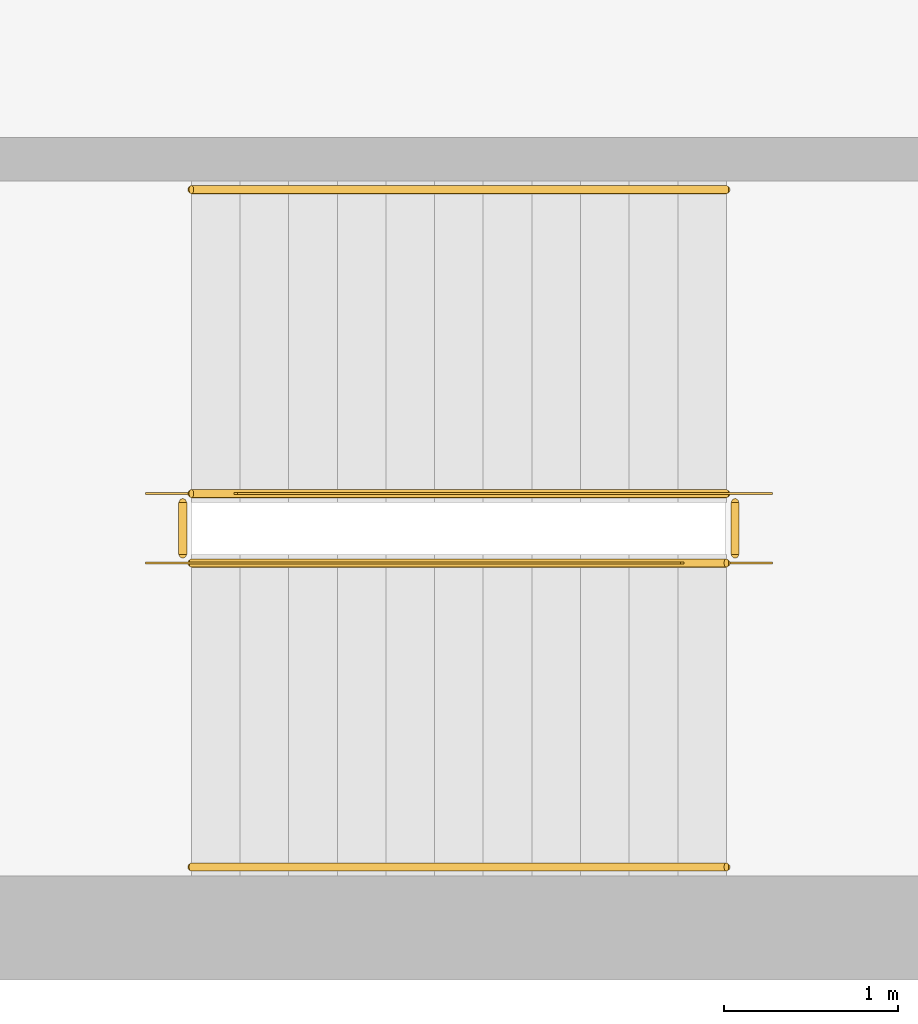
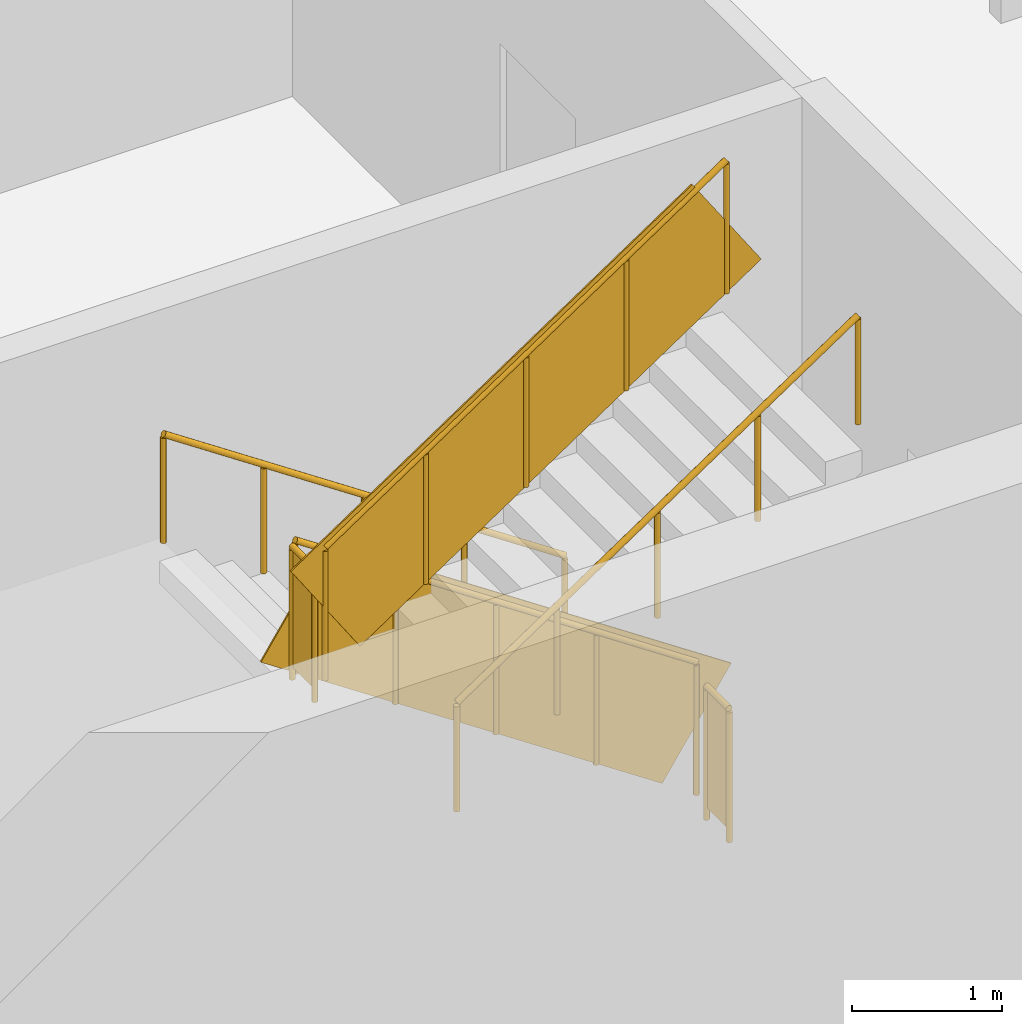
# One storey, part 15 of 20: 6 railings.
"""IFC4 building model written with IfcOpenShell, lengths in metres."""

import ifcopenshell
import ifcopenshell.guid

model = None  # the IFC model being written
_history = None  # IfcOwnerHistory: only IFC2X3 demands one
_inside = {}  # id of a spatial element -> (the spatial element, [elements in it])
_under = {}  # id of a project, library or spatial element -> (it, [spatial elements below it])
_declared = {}  # id of a project -> (the project, [libraries it declares])
_typed = {}  # id of a type object -> (the type object, [elements of that type])
_made_of = {}  # id of a material, layer set ... -> (it, [elements and type objects made of it])


def new_model(schema):
    """Start an empty IFC model of exactly this schema.

    Asked for "IFC4X3", IfcOpenShell would pick the latest addendum, in which some entities
    have other attributes; the version numbers below select the first issue.
    IFC2X3 requires an IfcOwnerHistory on every rooted entity: one is made here for all.
    """
    global model, _history
    if schema == "IFC4X3":
        model = ifcopenshell.file(schema_version=(4, 3, 0, 0))
    else:
        model = ifcopenshell.file(schema=schema)
    _inside.clear()
    _under.clear()
    _declared.clear()
    _typed.clear()
    _made_of.clear()
    _history = None
    if model.schema == "IFC2X3":
        org = make("IfcOrganization", Name="unknown")
        user = make(
            "IfcPersonAndOrganization",
            ThePerson=make("IfcPerson", FamilyName="unknown"),
            TheOrganization=org,
        )
        app = make(
            "IfcApplication",
            ApplicationDeveloper=org,
            Version="unknown",
            ApplicationFullName="unknown",
            ApplicationIdentifier="unknown",
        )
        _history = make(
            "IfcOwnerHistory",
            OwningUser=user,
            OwningApplication=app,
            ChangeAction="ADDED",
            CreationDate=0,
        )
    return model


def make(cls, **values):
    """One entity of the class cls with the attributes given. An attribute that is None is left unset."""
    return model.create_entity(
        cls, **{name: value for name, value in values.items() if value is not None}
    )


def rooted(cls, **values):
    """An entity with a GlobalId (a new one), such as an element, a storey or a relation."""
    return make(cls, GlobalId=ifcopenshell.guid.new(), OwnerHistory=_history, **values)


def si_unit(unit_type, name, prefix=None):
    """IfcSIUnit, for example si_unit("LENGTHUNIT", "METRE", prefix="MILLI")."""
    return make("IfcSIUnit", UnitType=unit_type, Prefix=prefix, Name=name)


def assignment(units):
    """IfcUnitAssignment: the units of a project."""
    return None if units is None else make("IfcUnitAssignment", Units=units)


def point(xyz):
    """IfcCartesianPoint."""
    return None if xyz is None else make("IfcCartesianPoint", Coordinates=xyz)


def direction(xyz):
    """IfcDirection."""
    return None if xyz is None else make("IfcDirection", DirectionRatios=xyz)


def frame(location, z_axis=None, x_axis=None):
    """IfcAxis2Placement3D, a coordinate frame: its origin and axes. An axis left out is left unset."""
    return make(
        "IfcAxis2Placement3D",
        Location=point(location),
        Axis=direction(z_axis),
        RefDirection=direction(x_axis),
    )


def frame_2d(location, x_axis=None):
    """IfcAxis2Placement2D, a coordinate frame in the plane: its origin and x axis."""
    return make(
        "IfcAxis2Placement2D", Location=point(location), RefDirection=direction(x_axis)
    )


def origin():
    """The frame at (0, 0, 0) with its axes left unset."""
    return frame((0.0, 0.0, 0.0))


def origin_2d():
    """The frame at (0, 0) in the plane with its x axis left unset."""
    return frame_2d((0.0, 0.0))


def place(relative_to, where):
    """IfcLocalPlacement: puts the frame where relative to a parent placement (None: the world)."""
    return make(
        "IfcLocalPlacement", PlacementRelTo=relative_to, RelativePlacement=where
    )


def context(
    kind, dimensions, precision=None, world=None, true_north=None, identifier=None
):
    """IfcGeometricRepresentationContext, for example the 3D "Model" context."""
    return make(
        "IfcGeometricRepresentationContext",
        ContextIdentifier=identifier,
        ContextType=kind,
        CoordinateSpaceDimension=dimensions,
        Precision=precision,
        WorldCoordinateSystem=world,
        TrueNorth=true_north,
    )


def subcontext(parent, identifier, kind, view, scale=None):
    """IfcGeometricRepresentationSubContext, for example "Body" below "Model"."""
    return make(
        "IfcGeometricRepresentationSubContext",
        ContextIdentifier=identifier,
        ContextType=kind,
        ParentContext=parent,
        TargetScale=scale,
        TargetView=view,
    )


def project(units=None, contexts=None):
    """IfcProject with its units and contexts."""
    return rooted(
        "IfcProject",
        Name="project",
        RepresentationContexts=contexts,
        UnitsInContext=assignment(units),
    )


def spatial(cls, under=None, at=None, **own):
    """A site, building, storey or space (cls), placed at a placement, below another one or the project."""
    s = rooted(cls, ObjectPlacement=at, **own)
    if under is not None:
        _under.setdefault(under.id(), (under, []))[1].append(s)
    return s


def profile(cls, at=None, kind="AREA", **sizes):
    """A parametric profile (cls). Its sizes go by their IFC names, for example OverallWidth=200.0."""
    return make(cls, ProfileType=kind, Position=at, **sizes)


def rectangle(**sizes):
    """IfcRectangleProfileDef."""
    return profile("IfcRectangleProfileDef", **sizes)


def circle(**sizes):
    """IfcCircleProfileDef."""
    return profile("IfcCircleProfileDef", **sizes)


def extrude(swept, where, along, depth):
    """IfcExtrudedAreaSolid: the profile swept, set in the frame where, extruded along a direction by depth."""
    return make(
        "IfcExtrudedAreaSolid",
        SweptArea=swept,
        Position=where,
        ExtrudedDirection=direction(along),
        Depth=depth,
    )


def shape(context_of_items, identifier, shape_type, items):
    """IfcShapeRepresentation: the items that make up one representation, for example the "Body"."""
    return make(
        "IfcShapeRepresentation",
        ContextOfItems=context_of_items,
        RepresentationIdentifier=identifier,
        RepresentationType=shape_type,
        Items=items,
    )


def material(Name=None, Category=None):
    """IfcMaterial."""
    return make("IfcMaterial", Name=Name, Category=Category)


def made_of(thing, what):
    """Note that an element or type object is made of a material, layer set ...; save() writes the relation."""
    if what is not None:
        _made_of.setdefault(what.id(), (what, []))[1].append(thing)
    return thing


def type_object(cls, material=None, **own):
    """A type object (cls), such as IfcWallType, which elements share."""
    return made_of(rooted(cls, **own), material)


def element(
    cls,
    number,
    at=None,
    inside=None,
    cuts=None,
    type_object=None,
    material=None,
    context=None,
    identifier="Body",
    shape_type=None,
    held_by="IfcProductDefinitionShape",
    body=None,
    shapes=None,
    **own,
):
    """One element of the class cls, such as IfcWall. Its Tag is "e" and its number.

    at: its placement. inside: the storey or other place that contains it. cuts: it is an
    opening in that element (IfcRelVoidsElement). A single representation is given by context,
    identifier, shape_type and body (its items); several are given by shapes. held_by: the class
    of the entity that holds the representations. save() writes the other relations.
    """
    e = rooted(cls, Tag="e%d" % number, ObjectPlacement=at, **own)
    if body is not None:
        shapes = [shape(context, identifier, shape_type, body)]
    if shapes is not None:
        e.Representation = make(held_by, Representations=shapes)
    if inside is not None:
        _inside.setdefault(inside.id(), (inside, []))[1].append(e)
    if cuts is not None:
        rooted(
            "IfcRelVoidsElement", RelatingBuildingElement=cuts, RelatedOpeningElement=e
        )
    if type_object is not None:
        _typed.setdefault(type_object.id(), (type_object, []))[1].append(e)
    return made_of(e, material)


def aggregate(whole, parts):
    """IfcRelAggregates: a whole, such as a stair, and the parts it consists of."""
    return rooted("IfcRelAggregates", RelatingObject=whole, RelatedObjects=parts)


def save(model, path):
    """Write the relations noted so far, then the file.

    IfcRelAggregates (storeys below a building ...), IfcRelContainedInSpatialStructure (elements
    in a storey), IfcRelDefinesByType, IfcRelAssociatesMaterial and IfcRelDeclares: one each for
    every whole, place, type object, material and project.
    """
    for whole, parts in _under.values():
        aggregate(whole, parts)
    for where, things in _inside.values():
        rooted(
            "IfcRelContainedInSpatialStructure",
            RelatedElements=things,
            RelatingStructure=where,
        )
    for kind, things in _typed.values():
        rooted("IfcRelDefinesByType", RelatedObjects=things, RelatingType=kind)
    for what, things in _made_of.values():
        rooted("IfcRelAssociatesMaterial", RelatedObjects=things, RelatingMaterial=what)
    for by, libraries in _declared.values():
        rooted("IfcRelDeclares", RelatingContext=by, RelatedDefinitions=libraries)
    model.write(path)


model = new_model("IFC4")

# Units and contexts
model_context = context("Model", 3, precision=1e-05, world=origin(), true_north=direction((0.0, 1.0)))
body_context = subcontext(model_context, "Body", "Model", "MODEL_VIEW")
ifc_project = project(units=[si_unit("LENGTHUNIT", "METRE"), si_unit("AREAUNIT", "SQUARE_METRE"), si_unit("VOLUMEUNIT", "CUBIC_METRE"), si_unit("PLANEANGLEUNIT", "RADIAN"), si_unit("MASSUNIT", "GRAM", prefix="KILO")], contexts=[model_context])

# Site, building, storey
site_placement = place(None, origin())
site = spatial("IfcSite", under=ifc_project, at=site_placement, CompositionType="ELEMENT")
building_placement = place(site_placement, origin())
building = spatial("IfcBuilding", under=site, at=building_placement, Name="Dilmun Exchange Tower", CompositionType="ELEMENT")
storey_placement = place(building_placement, frame((0.0, 0.0, 9.0)))
storey = spatial("IfcBuildingStorey", under=building, at=storey_placement, Name="L02", CompositionType="ELEMENT", Elevation=9.0)

# Railings
ifc_material = material(Name="Steel S355", Category="steel")
railing_type_1 = type_object("IfcRailingType", Name="School stair guard 1100", PredefinedType="GUARDRAIL", material=ifc_material)
railing_1_placement = place(storey_placement, frame((-52.25, -57.35009765625, 0.1875)))
element("IfcRailing", 1, at=railing_1_placement, inside=storey, type_object=railing_type_1, Name="L02 SCH-S2 stair guard 1", PredefinedType="GUARDRAIL", context=body_context, shape_type="SweptSolid", body=[
    extrude(circle(Radius=0.02392578125, at=origin_2d()), frame((0.0, 0.0, 1.076171875), z_axis=(-0.830913701846, 0.0, 0.55640131208), x_axis=(0.0, -1.0, 0.0)), (0.0, 0.0, 1.0), 3.706787109375),
    extrude(rectangle(XDim=0.011962890625, YDim=0.951904296875, at=origin_2d()), frame((0.0, 0.0, 0.576171875), z_axis=(-0.830913701846, 0.0, 0.55640131208), x_axis=(0.0, -1.0, 0.0)), (0.0, 0.0, 1.0), 3.706787109375),
    extrude(circle(Radius=0.02099609375, at=origin_2d()), origin(), (0.0, 0.0, 1.0), 1.052001953125),
    extrude(circle(Radius=0.02099609375, at=origin_2d()), frame((-0.77001953125, 0.0, 0.515625)), (0.0, 0.0, 1.0), 1.052001953125),
    extrude(circle(Radius=0.02099609375, at=origin_2d()), frame((-1.5400390625, 0.0, 1.03125)), (0.0, 0.0, 1.0), 1.052001953125),
    extrude(circle(Radius=0.02099609375, at=origin_2d()), frame((-2.31005859375, 0.0, 1.546875)), (0.0, 0.0, 1.0), 1.052001953125),
    extrude(circle(Radius=0.02099609375, at=origin_2d()), frame((-3.080078125, 0.0, 2.0625)), (0.0, 0.0, 1.0), 1.052001953125),
])
railing_2_placement = place(storey_placement, frame((-55.3798828125, -57.39990234375, 2.25)))
element("IfcRailing", 2, at=railing_2_placement, inside=storey, type_object=railing_type_1, Name="L02 SCH-S2 stair guard 2", PredefinedType="GUARDRAIL", context=body_context, shape_type="SweptSolid", body=[
    extrude(circle(Radius=0.02392578125, at=origin_2d()), frame((0.0, 0.0, 1.076171875), z_axis=(0.0, -1.0, 0.0), x_axis=(1.0, 0.0, 0.0)), (0.0, 0.0, 1.0), 0.300048828125),
    extrude(rectangle(XDim=0.011962890625, YDim=0.951904296875, at=origin_2d()), frame((0.0, 0.0, 0.576171875), z_axis=(0.0, -1.0, 0.0), x_axis=(1.0, 0.0, 0.0)), (0.0, 0.0, 1.0), 0.300048828125),
    extrude(circle(Radius=0.02099609375, at=origin_2d()), origin(), (0.0, 0.0, 1.0), 1.052001953125),
    extrude(circle(Radius=0.02099609375, at=origin_2d()), frame((0.0, -0.300048828125, 0.0)), (0.0, 0.0, 1.0), 1.052001953125),
])
railing_3_placement = place(storey_placement, frame((-55.330078125, -57.75, 2.4375)))
element("IfcRailing", 3, at=railing_3_placement, inside=storey, type_object=railing_type_1, Name="L02 SCH-S2 stair guard 3", PredefinedType="GUARDRAIL", context=body_context, shape_type="SweptSolid", body=[
    extrude(circle(Radius=0.02392578125, at=origin_2d()), frame((0.0, 0.0, 1.076171875), z_axis=(0.830913701846, 0.0, 0.55640131208), x_axis=(0.0, 1.0, 0.0)), (0.0, 0.0, 1.0), 3.706787109375),
    extrude(rectangle(XDim=0.011962890625, YDim=0.951904296875, at=origin_2d()), frame((0.0, 0.0, 0.576171875), z_axis=(0.830913701846, 0.0, 0.55640131208), x_axis=(0.0, 1.0, 0.0)), (0.0, 0.0, 1.0), 3.706787109375),
    extrude(circle(Radius=0.02099609375, at=origin_2d()), origin(), (0.0, 0.0, 1.0), 1.052001953125),
    extrude(circle(Radius=0.02099609375, at=origin_2d()), frame((0.77001953125, 0.0, 0.515625)), (0.0, 0.0, 1.0), 1.052001953125),
    extrude(circle(Radius=0.02099609375, at=origin_2d()), frame((1.5400390625, 0.0, 1.03125)), (0.0, 0.0, 1.0), 1.052001953125),
    extrude(circle(Radius=0.02099609375, at=origin_2d()), frame((2.31005859375, 0.0, 1.546875)), (0.0, 0.0, 1.0), 1.052001953125),
    extrude(circle(Radius=0.02099609375, at=origin_2d()), frame((3.080078125, 0.0, 2.0625)), (0.0, 0.0, 1.0), 1.052001953125),
])
railing_4_placement = place(storey_placement, frame((-52.199951171875, -57.39990234375, 0.0)))
element("IfcRailing", 4, at=railing_4_placement, inside=storey, type_object=railing_type_1, Name="L02 SCH-S2 stair guard 4", PredefinedType="GUARDRAIL", context=body_context, shape_type="SweptSolid", body=[
    extrude(circle(Radius=0.02392578125, at=origin_2d()), frame((0.0, 0.0, 1.076171875), z_axis=(0.0, -1.0, 0.0), x_axis=(1.0, 0.0, 0.0)), (0.0, 0.0, 1.0), 0.300048828125),
    extrude(rectangle(XDim=0.011962890625, YDim=0.951904296875, at=origin_2d()), frame((0.0, 0.0, 0.576171875), z_axis=(0.0, -1.0, 0.0), x_axis=(1.0, 0.0, 0.0)), (0.0, 0.0, 1.0), 0.300048828125),
    extrude(circle(Radius=0.02099609375, at=origin_2d()), origin(), (0.0, 0.0, 1.0), 1.052001953125),
    extrude(circle(Radius=0.02099609375, at=origin_2d()), frame((0.0, -0.300048828125, 0.0)), (0.0, 0.0, 1.0), 1.052001953125),
])
railing_type_2 = type_object("IfcRailingType", Name="School stair handrail 900", PredefinedType="HANDRAIL", material=ifc_material)
railing_5_placement = place(storey_placement, frame((-52.25, -55.60009765625, 0.1875)))
element("IfcRailing", 5, at=railing_5_placement, inside=storey, type_object=railing_type_2, Name="L02 SCH-S2 stair handrail 1", PredefinedType="HANDRAIL", context=body_context, shape_type="SweptSolid", body=[
    extrude(circle(Radius=0.02392578125, at=origin_2d()), frame((0.0, 0.0, 0.8759765625), z_axis=(-0.830913701846, 0.0, 0.55640131208), x_axis=(0.0, -1.0, 0.0)), (0.0, 0.0, 1.0), 3.706787109375),
    extrude(circle(Radius=0.02099609375, at=origin_2d()), origin(), (0.0, 0.0, 1.0), 0.851806640625),
    extrude(circle(Radius=0.02099609375, at=origin_2d()), frame((-0.77001953125, 0.0, 0.515625)), (0.0, 0.0, 1.0), 0.851806640625),
    extrude(circle(Radius=0.02099609375, at=origin_2d()), frame((-1.5400390625, 0.0, 1.03125)), (0.0, 0.0, 1.0), 0.851806640625),
    extrude(circle(Radius=0.02099609375, at=origin_2d()), frame((-2.31005859375, 0.0, 1.546875)), (0.0, 0.0, 1.0), 0.851806640625),
    extrude(circle(Radius=0.02099609375, at=origin_2d()), frame((-3.080078125, 0.0, 2.0625)), (0.0, 0.0, 1.0), 0.851806640625),
])
railing_6_placement = place(storey_placement, frame((-55.330078125, -59.5, 2.4375)))
element("IfcRailing", 6, at=railing_6_placement, inside=storey, type_object=railing_type_2, Name="L02 SCH-S2 stair handrail 2", PredefinedType="HANDRAIL", context=body_context, shape_type="SweptSolid", body=[
    extrude(circle(Radius=0.02392578125, at=origin_2d()), frame((0.0, 0.0, 0.8759765625), z_axis=(0.830913701846, 0.0, 0.55640131208), x_axis=(0.0, 1.0, 0.0)), (0.0, 0.0, 1.0), 3.706787109375),
    extrude(circle(Radius=0.02099609375, at=origin_2d()), origin(), (0.0, 0.0, 1.0), 0.851806640625),
    extrude(circle(Radius=0.02099609375, at=origin_2d()), frame((0.77001953125, 0.0, 0.515625)), (0.0, 0.0, 1.0), 0.851806640625),
    extrude(circle(Radius=0.02099609375, at=origin_2d()), frame((1.5400390625, 0.0, 1.03125)), (0.0, 0.0, 1.0), 0.851806640625),
    extrude(circle(Radius=0.02099609375, at=origin_2d()), frame((2.31005859375, 0.0, 1.546875)), (0.0, 0.0, 1.0), 0.851806640625),
    extrude(circle(Radius=0.02099609375, at=origin_2d()), frame((3.080078125, 0.0, 2.0625)), (0.0, 0.0, 1.0), 0.851806640625),
])

save(model, "model.ifc")
